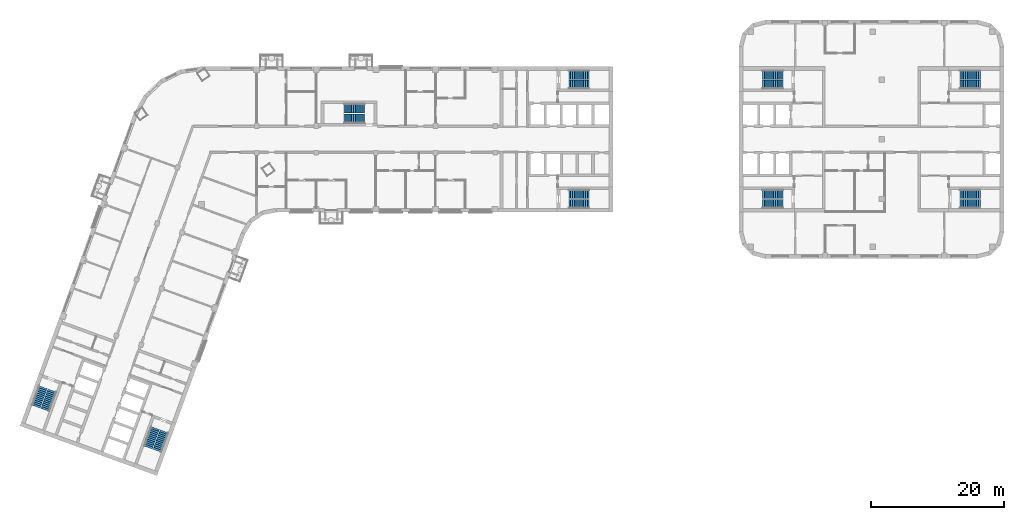
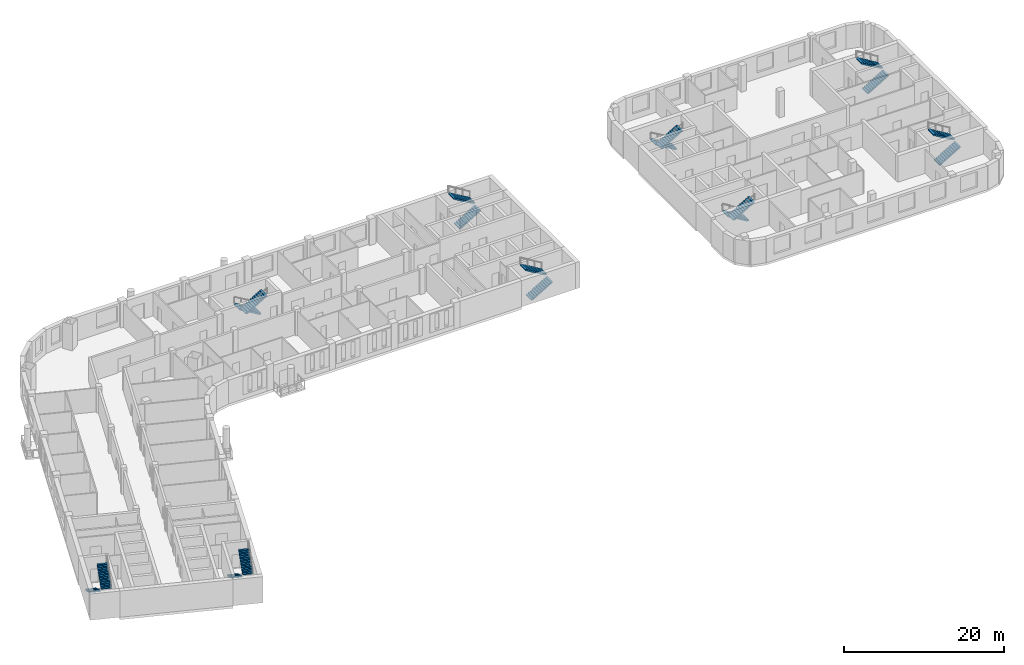
# One storey, part 11 of 16: 18 stair flights, 9 elements without a shape of their own.
"""IFC4 building model written with IfcOpenShell, lengths in metres."""

from ifc_helpers import new_model, si_unit, direction, frame, origin, place, context, subcontext, project, spatial, polyline, outline, extrude, material, type_object, element, aggregate, save


model = new_model("IFC4")

# Units and contexts
model_context = context("Model", 3, precision=1e-05, world=origin(), true_north=direction((0.0, 1.0)))
body_context = subcontext(model_context, "Body", "Model", "MODEL_VIEW")
ifc_project = project(units=[si_unit("LENGTHUNIT", "METRE"), si_unit("AREAUNIT", "SQUARE_METRE"), si_unit("VOLUMEUNIT", "CUBIC_METRE"), si_unit("PLANEANGLEUNIT", "RADIAN"), si_unit("MASSUNIT", "GRAM", prefix="KILO")], contexts=[model_context])

# Site, building, storey
site_placement = place(None, origin())
site = spatial("IfcSite", under=ifc_project, at=site_placement, CompositionType="ELEMENT")
building_placement = place(site_placement, origin())
building = spatial("IfcBuilding", under=site, at=building_placement, Name="Skarvind Civic Tower", CompositionType="ELEMENT")
storey_placement = place(building_placement, frame((0.0, 0.0, 43.5)))
storey = spatial("IfcBuildingStorey", under=building, at=storey_placement, Name="L09", CompositionType="ELEMENT", Elevation=43.5)

# Stair, stair flights
ifc_material = material(Name="Concrete C40/50", Category="concrete")
stair_type_1 = type_object("IfcStairType", Name="Exit stair 1450, half-turn, concrete", PredefinedType="HALF_TURN_STAIR", material=ifc_material)
stair_1_placement = place(storey_placement, origin())
stair_1 = element("IfcStair", 1, at=stair_1_placement, inside=storey, type_object=stair_type_1, Name="Exit stair CM", PredefinedType="HALF_TURN_STAIR")
stair_flight_type_1 = type_object("IfcStairFlightType", Name="Stair flight 1450, concrete", PredefinedType="STRAIGHT", material=ifc_material)
stair_flight_1_placement = place(storey_placement, frame((70.550048828125, 132.675048828125, 0.0), z_axis=(0.0, 0.0, 1.0), x_axis=(-1.0, 0.0, 0.0)))
stair_flight_1 = element("IfcStairFlight", 2, at=stair_flight_1_placement, type_object=stair_flight_type_1, Name="ST-CM flight 1", NumberOfRisers=12, NumberOfTreads=11, PredefinedType="STRAIGHT", RiserHeight=0.166666667, TreadLength=0.28, context=body_context, shape_type="SweptSolid", body=[
    extrude(outline(polyline([(0.0, 0.0), (0.0, 0.166748046875), (0.280029296875, 0.166748046875), (0.280029296875, 0.333251953125), (0.56005859375, 0.333251953125), (0.56005859375, 0.5), (0.840087890625, 0.5), (0.840087890625, 0.666748046875), (1.1201171875, 0.666748046875), (1.1201171875, 0.833251953125), (1.39990234375, 0.833251953125), (1.39990234375, 1.0), (1.679931640625, 1.0), (1.679931640625, 1.166748046875), (1.9599609375, 1.166748046875), (1.9599609375, 1.333251953125), (2.239990234375, 1.333251953125), (2.239990234375, 1.5), (2.52001953125, 1.5), (2.52001953125, 1.666748046875), (2.800048828125, 1.666748046875), (2.800048828125, 1.833251953125), (3.080078125, 1.833251953125), (3.080078125, 2.0), (3.080078125, 1.658935546875), (0.29296875, 0.0), (0.0, 0.0)])), frame((0.0, 0.72509765625, 0.0), z_axis=(0.0, -1.0, 0.0), x_axis=(1.0, 0.0, 0.0)), (0.0, 0.0, 1.0), 1.449951171875),
])
stair_flight_2_placement = place(storey_placement, frame((67.469970703125, 131.125, 2.0), z_axis=(0.0, 0.0, 1.0), x_axis=(1.0, 0.0, 0.0)))
stair_flight_2 = element("IfcStairFlight", 3, at=stair_flight_2_placement, type_object=stair_flight_type_1, Name="ST-CM flight 2", NumberOfRisers=12, NumberOfTreads=11, PredefinedType="STRAIGHT", RiserHeight=0.166666667, TreadLength=0.28, context=body_context, shape_type="SweptSolid", body=[
    extrude(outline(polyline([(0.0, 0.0), (0.0, 0.166748046875), (0.280029296875, 0.166748046875), (0.280029296875, 0.333251953125), (0.56005859375, 0.333251953125), (0.56005859375, 0.5), (0.840087890625, 0.5), (0.840087890625, 0.666748046875), (1.1201171875, 0.666748046875), (1.1201171875, 0.833251953125), (1.39990234375, 0.833251953125), (1.39990234375, 1.0), (1.679931640625, 1.0), (1.679931640625, 1.166748046875), (1.9599609375, 1.166748046875), (1.9599609375, 1.333251953125), (2.239990234375, 1.333251953125), (2.239990234375, 1.5), (2.52001953125, 1.5), (2.52001953125, 1.666748046875), (2.800048828125, 1.666748046875), (2.800048828125, 1.833251953125), (3.080078125, 1.833251953125), (3.080078125, 2.0), (3.080078125, 1.658935546875), (0.29296875, 0.0), (0.0, 0.0)])), frame((0.0, 0.72509765625, 0.0), z_axis=(0.0, -1.0, 0.0), x_axis=(1.0, 0.0, 0.0)), (0.0, 0.0, 1.0), 1.449951171875),
])
aggregate(stair_1, [stair_flight_1, stair_flight_2])

stair_type_2 = type_object("IfcStairType", Name="Exit stair, half-turn, concrete", PredefinedType="HALF_TURN_STAIR", material=ifc_material)
stair_2_placement = place(storey_placement, origin())
stair_2 = element("IfcStair", 4, at=stair_2_placement, inside=storey, type_object=stair_type_2, Name="Exit stair C1S", PredefinedType="HALF_TURN_STAIR")
stair_flight_type_2 = type_object("IfcStairFlightType", Name="Stair flight, concrete", PredefinedType="STRAIGHT", material=ifc_material)
stair_flight_3_placement = place(storey_placement, frame((101.35009765625, 136.27490234375, 0.0), z_axis=(0.0, 0.0, 1.0), x_axis=(1.0, 0.0, 0.0)))
stair_flight_3 = element("IfcStairFlight", 5, at=stair_flight_3_placement, type_object=stair_flight_type_2, Name="ST-C1S flight 1", NumberOfRisers=12, NumberOfTreads=11, PredefinedType="STRAIGHT", RiserHeight=0.166666667, TreadLength=0.28, context=body_context, shape_type="SweptSolid", body=[
    extrude(outline(polyline([(0.0, 0.0), (0.0, 0.166748046875), (0.280029296875, 0.166748046875), (0.280029296875, 0.333251953125), (0.56005859375, 0.333251953125), (0.56005859375, 0.5), (0.840087890625, 0.5), (0.840087890625, 0.666748046875), (1.1201171875, 0.666748046875), (1.1201171875, 0.833251953125), (1.39990234375, 0.833251953125), (1.39990234375, 1.0), (1.679931640625, 1.0), (1.679931640625, 1.166748046875), (1.9599609375, 1.166748046875), (1.9599609375, 1.333251953125), (2.239990234375, 1.333251953125), (2.239990234375, 1.5), (2.52001953125, 1.5), (2.52001953125, 1.666748046875), (2.800048828125, 1.666748046875), (2.800048828125, 1.833251953125), (3.080078125, 1.833251953125), (3.080078125, 2.0), (3.080078125, 1.658935546875), (0.29296875, 0.0), (0.0, 0.0)])), frame((0.0, 0.675048828125, 0.0), z_axis=(0.0, -1.0, 0.0), x_axis=(1.0, 0.0, 0.0)), (0.0, 0.0, 1.0), 1.35009765625),
])
stair_flight_4_placement = place(storey_placement, frame((104.429931640625, 137.72509765625, 2.0), z_axis=(0.0, 0.0, 1.0), x_axis=(-1.0, 0.0, 0.0)))
stair_flight_4 = element("IfcStairFlight", 6, at=stair_flight_4_placement, type_object=stair_flight_type_2, Name="ST-C1S flight 2", NumberOfRisers=12, NumberOfTreads=11, PredefinedType="STRAIGHT", RiserHeight=0.166666667, TreadLength=0.28, context=body_context, shape_type="SweptSolid", body=[
    extrude(outline(polyline([(0.0, 0.0), (0.0, 0.166748046875), (0.280029296875, 0.166748046875), (0.280029296875, 0.333251953125), (0.56005859375, 0.333251953125), (0.56005859375, 0.5), (0.840087890625, 0.5), (0.840087890625, 0.666748046875), (1.1201171875, 0.666748046875), (1.1201171875, 0.833251953125), (1.39990234375, 0.833251953125), (1.39990234375, 1.0), (1.679931640625, 1.0), (1.679931640625, 1.166748046875), (1.9599609375, 1.166748046875), (1.9599609375, 1.333251953125), (2.239990234375, 1.333251953125), (2.239990234375, 1.5), (2.52001953125, 1.5), (2.52001953125, 1.666748046875), (2.800048828125, 1.666748046875), (2.800048828125, 1.833251953125), (3.080078125, 1.833251953125), (3.080078125, 2.0), (3.080078125, 1.658935546875), (0.29296875, 0.0), (0.0, 0.0)])), frame((0.0, 0.675048828125, 0.0), z_axis=(0.0, -1.0, 0.0), x_axis=(1.0, 0.0, 0.0)), (0.0, 0.0, 1.0), 1.35009765625),
])
aggregate(stair_2, [stair_flight_3, stair_flight_4])

stair_3_placement = place(storey_placement, origin())
stair_3 = element("IfcStair", 7, at=stair_3_placement, inside=storey, type_object=stair_type_2, Name="Exit stair C1N", PredefinedType="HALF_TURN_STAIR")
stair_flight_5_placement = place(storey_placement, frame((101.35009765625, 118.27490234375, 0.0), z_axis=(0.0, 0.0, 1.0), x_axis=(1.0, 0.0, 0.0)))
stair_flight_5 = element("IfcStairFlight", 8, at=stair_flight_5_placement, type_object=stair_flight_type_2, Name="ST-C1N flight 1", NumberOfRisers=12, NumberOfTreads=11, PredefinedType="STRAIGHT", RiserHeight=0.166666667, TreadLength=0.28, context=body_context, shape_type="SweptSolid", body=[
    extrude(outline(polyline([(0.0, 0.0), (0.0, 0.166748046875), (0.280029296875, 0.166748046875), (0.280029296875, 0.333251953125), (0.56005859375, 0.333251953125), (0.56005859375, 0.5), (0.840087890625, 0.5), (0.840087890625, 0.666748046875), (1.1201171875, 0.666748046875), (1.1201171875, 0.833251953125), (1.39990234375, 0.833251953125), (1.39990234375, 1.0), (1.679931640625, 1.0), (1.679931640625, 1.166748046875), (1.9599609375, 1.166748046875), (1.9599609375, 1.333251953125), (2.239990234375, 1.333251953125), (2.239990234375, 1.5), (2.52001953125, 1.5), (2.52001953125, 1.666748046875), (2.800048828125, 1.666748046875), (2.800048828125, 1.833251953125), (3.080078125, 1.833251953125), (3.080078125, 2.0), (3.080078125, 1.658935546875), (0.29296875, 0.0), (0.0, 0.0)])), frame((0.0, 0.675048828125, 0.0), z_axis=(0.0, -1.0, 0.0), x_axis=(1.0, 0.0, 0.0)), (0.0, 0.0, 1.0), 1.35009765625),
])
stair_flight_6_placement = place(storey_placement, frame((104.429931640625, 119.72509765625, 2.0), z_axis=(0.0, 0.0, 1.0), x_axis=(-1.0, 0.0, 0.0)))
stair_flight_6 = element("IfcStairFlight", 9, at=stair_flight_6_placement, type_object=stair_flight_type_2, Name="ST-C1N flight 2", NumberOfRisers=12, NumberOfTreads=11, PredefinedType="STRAIGHT", RiserHeight=0.166666667, TreadLength=0.28, context=body_context, shape_type="SweptSolid", body=[
    extrude(outline(polyline([(0.0, 0.0), (0.0, 0.166748046875), (0.280029296875, 0.166748046875), (0.280029296875, 0.333251953125), (0.56005859375, 0.333251953125), (0.56005859375, 0.5), (0.840087890625, 0.5), (0.840087890625, 0.666748046875), (1.1201171875, 0.666748046875), (1.1201171875, 0.833251953125), (1.39990234375, 0.833251953125), (1.39990234375, 1.0), (1.679931640625, 1.0), (1.679931640625, 1.166748046875), (1.9599609375, 1.166748046875), (1.9599609375, 1.333251953125), (2.239990234375, 1.333251953125), (2.239990234375, 1.5), (2.52001953125, 1.5), (2.52001953125, 1.666748046875), (2.800048828125, 1.666748046875), (2.800048828125, 1.833251953125), (3.080078125, 1.833251953125), (3.080078125, 2.0), (3.080078125, 1.658935546875), (0.29296875, 0.0), (0.0, 0.0)])), frame((0.0, 0.675048828125, 0.0), z_axis=(0.0, -1.0, 0.0), x_axis=(1.0, 0.0, 0.0)), (0.0, 0.0, 1.0), 1.35009765625),
])
aggregate(stair_3, [stair_flight_5, stair_flight_6])

stair_4_placement = place(storey_placement, origin())
stair_4 = element("IfcStair", 10, at=stair_4_placement, inside=storey, type_object=stair_type_2, Name="Exit stair C2S", PredefinedType="HALF_TURN_STAIR")
stair_flight_7_placement = place(storey_placement, frame((38.949462890625, 84.43408203125, 0.0), z_axis=(0.0, 0.0, 1.0), x_axis=(-0.342020143326, -0.939692620786, 0.0)))
stair_flight_7 = element("IfcStairFlight", 11, at=stair_flight_7_placement, type_object=stair_flight_type_2, Name="ST-C2S flight 1", NumberOfRisers=12, NumberOfTreads=11, PredefinedType="STRAIGHT", RiserHeight=0.166666667, TreadLength=0.28, context=body_context, shape_type="SweptSolid", body=[
    extrude(outline(polyline([(0.0, 0.0), (0.0, 0.166748046875), (0.280029296875, 0.166748046875), (0.280029296875, 0.333251953125), (0.56005859375, 0.333251953125), (0.56005859375, 0.5), (0.840087890625, 0.5), (0.840087890625, 0.666748046875), (1.1201171875, 0.666748046875), (1.1201171875, 0.833251953125), (1.39990234375, 0.833251953125), (1.39990234375, 1.0), (1.679931640625, 1.0), (1.679931640625, 1.166748046875), (1.9599609375, 1.166748046875), (1.9599609375, 1.333251953125), (2.239990234375, 1.333251953125), (2.239990234375, 1.5), (2.52001953125, 1.5), (2.52001953125, 1.666748046875), (2.800048828125, 1.666748046875), (2.800048828125, 1.833251953125), (3.080078125, 1.833251953125), (3.080078125, 2.0), (3.080078125, 1.658935546875), (0.29296875, 0.0), (0.0, 0.0)])), frame((0.0, 0.675048828125, 0.0), z_axis=(0.0, -1.0, 0.0), x_axis=(1.0, 0.0, 0.0)), (0.0, 0.0, 1.0), 1.35009765625),
])
stair_flight_8_placement = place(storey_placement, frame((39.258544921875, 81.0439453125, 2.0), z_axis=(0.0, 0.0, 1.0), x_axis=(0.342020143326, 0.939692620786, 0.0)))
stair_flight_8 = element("IfcStairFlight", 12, at=stair_flight_8_placement, type_object=stair_flight_type_2, Name="ST-C2S flight 2", NumberOfRisers=12, NumberOfTreads=11, PredefinedType="STRAIGHT", RiserHeight=0.166666667, TreadLength=0.28, context=body_context, shape_type="SweptSolid", body=[
    extrude(outline(polyline([(0.0, 0.0), (0.0, 0.166748046875), (0.280029296875, 0.166748046875), (0.280029296875, 0.333251953125), (0.56005859375, 0.333251953125), (0.56005859375, 0.5), (0.840087890625, 0.5), (0.840087890625, 0.666748046875), (1.1201171875, 0.666748046875), (1.1201171875, 0.833251953125), (1.39990234375, 0.833251953125), (1.39990234375, 1.0), (1.679931640625, 1.0), (1.679931640625, 1.166748046875), (1.9599609375, 1.166748046875), (1.9599609375, 1.333251953125), (2.239990234375, 1.333251953125), (2.239990234375, 1.5), (2.52001953125, 1.5), (2.52001953125, 1.666748046875), (2.800048828125, 1.666748046875), (2.800048828125, 1.833251953125), (3.080078125, 1.833251953125), (3.080078125, 2.0), (3.080078125, 1.658935546875), (0.29296875, 0.0), (0.0, 0.0)])), frame((0.0, 0.675048828125, 0.0), z_axis=(0.0, -1.0, 0.0), x_axis=(1.0, 0.0, 0.0)), (0.0, 0.0, 1.0), 1.35009765625),
])
aggregate(stair_4, [stair_flight_7, stair_flight_8])

stair_5_placement = place(storey_placement, origin())
stair_5 = element("IfcStair", 13, at=stair_5_placement, inside=storey, type_object=stair_type_2, Name="Exit stair C2N", PredefinedType="HALF_TURN_STAIR")
stair_flight_9_placement = place(storey_placement, frame((22.034912109375, 90.590576171875, 0.0), z_axis=(0.0, 0.0, 1.0), x_axis=(-0.342020143326, -0.939692620786, 0.0)))
stair_flight_9 = element("IfcStairFlight", 14, at=stair_flight_9_placement, type_object=stair_flight_type_2, Name="ST-C2N flight 1", NumberOfRisers=12, NumberOfTreads=11, PredefinedType="STRAIGHT", RiserHeight=0.166666667, TreadLength=0.28, context=body_context, shape_type="SweptSolid", body=[
    extrude(outline(polyline([(0.0, 0.0), (0.0, 0.166748046875), (0.280029296875, 0.166748046875), (0.280029296875, 0.333251953125), (0.56005859375, 0.333251953125), (0.56005859375, 0.5), (0.840087890625, 0.5), (0.840087890625, 0.666748046875), (1.1201171875, 0.666748046875), (1.1201171875, 0.833251953125), (1.39990234375, 0.833251953125), (1.39990234375, 1.0), (1.679931640625, 1.0), (1.679931640625, 1.166748046875), (1.9599609375, 1.166748046875), (1.9599609375, 1.333251953125), (2.239990234375, 1.333251953125), (2.239990234375, 1.5), (2.52001953125, 1.5), (2.52001953125, 1.666748046875), (2.800048828125, 1.666748046875), (2.800048828125, 1.833251953125), (3.080078125, 1.833251953125), (3.080078125, 2.0), (3.080078125, 1.658935546875), (0.29296875, 0.0), (0.0, 0.0)])), frame((0.0, 0.675048828125, 0.0), z_axis=(0.0, -1.0, 0.0), x_axis=(1.0, 0.0, 0.0)), (0.0, 0.0, 1.0), 1.35009765625),
])
stair_flight_10_placement = place(storey_placement, frame((22.343994140625, 87.2001953125, 2.0), z_axis=(0.0, 0.0, 1.0), x_axis=(0.342020143326, 0.939692620786, 0.0)))
stair_flight_10 = element("IfcStairFlight", 15, at=stair_flight_10_placement, type_object=stair_flight_type_2, Name="ST-C2N flight 2", NumberOfRisers=12, NumberOfTreads=11, PredefinedType="STRAIGHT", RiserHeight=0.166666667, TreadLength=0.28, context=body_context, shape_type="SweptSolid", body=[
    extrude(outline(polyline([(0.0, 0.0), (0.0, 0.166748046875), (0.280029296875, 0.166748046875), (0.280029296875, 0.333251953125), (0.56005859375, 0.333251953125), (0.56005859375, 0.5), (0.840087890625, 0.5), (0.840087890625, 0.666748046875), (1.1201171875, 0.666748046875), (1.1201171875, 0.833251953125), (1.39990234375, 0.833251953125), (1.39990234375, 1.0), (1.679931640625, 1.0), (1.679931640625, 1.166748046875), (1.9599609375, 1.166748046875), (1.9599609375, 1.333251953125), (2.239990234375, 1.333251953125), (2.239990234375, 1.5), (2.52001953125, 1.5), (2.52001953125, 1.666748046875), (2.800048828125, 1.666748046875), (2.800048828125, 1.833251953125), (3.080078125, 1.833251953125), (3.080078125, 2.0), (3.080078125, 1.658935546875), (0.29296875, 0.0), (0.0, 0.0)])), frame((0.0, 0.675048828125, 0.0), z_axis=(0.0, -1.0, 0.0), x_axis=(1.0, 0.0, 0.0)), (0.0, 0.0, 1.0), 1.35009765625),
])
aggregate(stair_5, [stair_flight_9, stair_flight_10])

stair_6_placement = place(storey_placement, origin())
stair_6 = element("IfcStair", 16, at=stair_6_placement, inside=storey, type_object=stair_type_2, Name="Exit stair CAS", PredefinedType="HALF_TURN_STAIR")
stair_flight_11_placement = place(storey_placement, frame((133.64990234375, 119.72509765625, 0.0), z_axis=(0.0, 0.0, 1.0), x_axis=(-1.0, 0.0, 0.0)))
stair_flight_11 = element("IfcStairFlight", 17, at=stair_flight_11_placement, type_object=stair_flight_type_2, Name="ST-CAS flight 1", NumberOfRisers=12, NumberOfTreads=11, PredefinedType="STRAIGHT", RiserHeight=0.166666667, TreadLength=0.28, context=body_context, shape_type="SweptSolid", body=[
    extrude(outline(polyline([(0.0, 0.0), (0.0, 0.166748046875), (0.280029296875, 0.166748046875), (0.280029296875, 0.333251953125), (0.56005859375, 0.333251953125), (0.56005859375, 0.5), (0.840087890625, 0.5), (0.840087890625, 0.666748046875), (1.1201171875, 0.666748046875), (1.1201171875, 0.833251953125), (1.39990234375, 0.833251953125), (1.39990234375, 1.0), (1.679931640625, 1.0), (1.679931640625, 1.166748046875), (1.9599609375, 1.166748046875), (1.9599609375, 1.333251953125), (2.239990234375, 1.333251953125), (2.239990234375, 1.5), (2.52001953125, 1.5), (2.52001953125, 1.666748046875), (2.800048828125, 1.666748046875), (2.800048828125, 1.833251953125), (3.080078125, 1.833251953125), (3.080078125, 2.0), (3.080078125, 1.658935546875), (0.29296875, 0.0), (0.0, 0.0)])), frame((0.0, 0.675048828125, 0.0), z_axis=(0.0, -1.0, 0.0), x_axis=(1.0, 0.0, 0.0)), (0.0, 0.0, 1.0), 1.35009765625),
])
stair_flight_12_placement = place(storey_placement, frame((130.570068359375, 118.27490234375, 2.0), z_axis=(0.0, 0.0, 1.0), x_axis=(1.0, 0.0, 0.0)))
stair_flight_12 = element("IfcStairFlight", 18, at=stair_flight_12_placement, type_object=stair_flight_type_2, Name="ST-CAS flight 2", NumberOfRisers=12, NumberOfTreads=11, PredefinedType="STRAIGHT", RiserHeight=0.166666667, TreadLength=0.28, context=body_context, shape_type="SweptSolid", body=[
    extrude(outline(polyline([(0.0, 0.0), (0.0, 0.166748046875), (0.280029296875, 0.166748046875), (0.280029296875, 0.333251953125), (0.56005859375, 0.333251953125), (0.56005859375, 0.5), (0.840087890625, 0.5), (0.840087890625, 0.666748046875), (1.1201171875, 0.666748046875), (1.1201171875, 0.833251953125), (1.39990234375, 0.833251953125), (1.39990234375, 1.0), (1.679931640625, 1.0), (1.679931640625, 1.166748046875), (1.9599609375, 1.166748046875), (1.9599609375, 1.333251953125), (2.239990234375, 1.333251953125), (2.239990234375, 1.5), (2.52001953125, 1.5), (2.52001953125, 1.666748046875), (2.800048828125, 1.666748046875), (2.800048828125, 1.833251953125), (3.080078125, 1.833251953125), (3.080078125, 2.0), (3.080078125, 1.658935546875), (0.29296875, 0.0), (0.0, 0.0)])), frame((0.0, 0.675048828125, 0.0), z_axis=(0.0, -1.0, 0.0), x_axis=(1.0, 0.0, 0.0)), (0.0, 0.0, 1.0), 1.35009765625),
])
aggregate(stair_6, [stair_flight_11, stair_flight_12])

stair_7_placement = place(storey_placement, origin())
stair_7 = element("IfcStair", 19, at=stair_7_placement, inside=storey, type_object=stair_type_2, Name="Exit stair CAN", PredefinedType="HALF_TURN_STAIR")
stair_flight_13_placement = place(storey_placement, frame((133.64990234375, 137.72509765625, 0.0), z_axis=(0.0, 0.0, 1.0), x_axis=(-1.0, 0.0, 0.0)))
stair_flight_13 = element("IfcStairFlight", 20, at=stair_flight_13_placement, type_object=stair_flight_type_2, Name="ST-CAN flight 1", NumberOfRisers=12, NumberOfTreads=11, PredefinedType="STRAIGHT", RiserHeight=0.166666667, TreadLength=0.28, context=body_context, shape_type="SweptSolid", body=[
    extrude(outline(polyline([(0.0, 0.0), (0.0, 0.166748046875), (0.280029296875, 0.166748046875), (0.280029296875, 0.333251953125), (0.56005859375, 0.333251953125), (0.56005859375, 0.5), (0.840087890625, 0.5), (0.840087890625, 0.666748046875), (1.1201171875, 0.666748046875), (1.1201171875, 0.833251953125), (1.39990234375, 0.833251953125), (1.39990234375, 1.0), (1.679931640625, 1.0), (1.679931640625, 1.166748046875), (1.9599609375, 1.166748046875), (1.9599609375, 1.333251953125), (2.239990234375, 1.333251953125), (2.239990234375, 1.5), (2.52001953125, 1.5), (2.52001953125, 1.666748046875), (2.800048828125, 1.666748046875), (2.800048828125, 1.833251953125), (3.080078125, 1.833251953125), (3.080078125, 2.0), (3.080078125, 1.658935546875), (0.29296875, 0.0), (0.0, 0.0)])), frame((0.0, 0.675048828125, 0.0), z_axis=(0.0, -1.0, 0.0), x_axis=(1.0, 0.0, 0.0)), (0.0, 0.0, 1.0), 1.35009765625),
])
stair_flight_14_placement = place(storey_placement, frame((130.570068359375, 136.27490234375, 2.0), z_axis=(0.0, 0.0, 1.0), x_axis=(1.0, 0.0, 0.0)))
stair_flight_14 = element("IfcStairFlight", 21, at=stair_flight_14_placement, type_object=stair_flight_type_2, Name="ST-CAN flight 2", NumberOfRisers=12, NumberOfTreads=11, PredefinedType="STRAIGHT", RiserHeight=0.166666667, TreadLength=0.28, context=body_context, shape_type="SweptSolid", body=[
    extrude(outline(polyline([(0.0, 0.0), (0.0, 0.166748046875), (0.280029296875, 0.166748046875), (0.280029296875, 0.333251953125), (0.56005859375, 0.333251953125), (0.56005859375, 0.5), (0.840087890625, 0.5), (0.840087890625, 0.666748046875), (1.1201171875, 0.666748046875), (1.1201171875, 0.833251953125), (1.39990234375, 0.833251953125), (1.39990234375, 1.0), (1.679931640625, 1.0), (1.679931640625, 1.166748046875), (1.9599609375, 1.166748046875), (1.9599609375, 1.333251953125), (2.239990234375, 1.333251953125), (2.239990234375, 1.5), (2.52001953125, 1.5), (2.52001953125, 1.666748046875), (2.800048828125, 1.666748046875), (2.800048828125, 1.833251953125), (3.080078125, 1.833251953125), (3.080078125, 2.0), (3.080078125, 1.658935546875), (0.29296875, 0.0), (0.0, 0.0)])), frame((0.0, 0.675048828125, 0.0), z_axis=(0.0, -1.0, 0.0), x_axis=(1.0, 0.0, 0.0)), (0.0, 0.0, 1.0), 1.35009765625),
])
aggregate(stair_7, [stair_flight_13, stair_flight_14])

stair_8_placement = place(storey_placement, origin())
stair_8 = element("IfcStair", 22, at=stair_8_placement, inside=storey, type_object=stair_type_2, Name="Exit stair CBS", PredefinedType="HALF_TURN_STAIR")
stair_flight_15_placement = place(storey_placement, frame((160.35009765625, 136.27490234375, 0.0), z_axis=(0.0, 0.0, 1.0), x_axis=(1.0, 0.0, 0.0)))
stair_flight_15 = element("IfcStairFlight", 23, at=stair_flight_15_placement, type_object=stair_flight_type_2, Name="ST-CBS flight 1", NumberOfRisers=12, NumberOfTreads=11, PredefinedType="STRAIGHT", RiserHeight=0.166666667, TreadLength=0.28, context=body_context, shape_type="SweptSolid", body=[
    extrude(outline(polyline([(0.0, 0.0), (0.0, 0.166748046875), (0.280029296875, 0.166748046875), (0.280029296875, 0.333251953125), (0.56005859375, 0.333251953125), (0.56005859375, 0.5), (0.840087890625, 0.5), (0.840087890625, 0.666748046875), (1.1201171875, 0.666748046875), (1.1201171875, 0.833251953125), (1.39990234375, 0.833251953125), (1.39990234375, 1.0), (1.679931640625, 1.0), (1.679931640625, 1.166748046875), (1.9599609375, 1.166748046875), (1.9599609375, 1.333251953125), (2.239990234375, 1.333251953125), (2.239990234375, 1.5), (2.52001953125, 1.5), (2.52001953125, 1.666748046875), (2.800048828125, 1.666748046875), (2.800048828125, 1.833251953125), (3.080078125, 1.833251953125), (3.080078125, 2.0), (3.080078125, 1.658935546875), (0.29296875, 0.0), (0.0, 0.0)])), frame((0.0, 0.675048828125, 0.0), z_axis=(0.0, -1.0, 0.0), x_axis=(1.0, 0.0, 0.0)), (0.0, 0.0, 1.0), 1.35009765625),
])
stair_flight_16_placement = place(storey_placement, frame((163.429931640625, 137.72509765625, 2.0), z_axis=(0.0, 0.0, 1.0), x_axis=(-1.0, 0.0, 0.0)))
stair_flight_16 = element("IfcStairFlight", 24, at=stair_flight_16_placement, type_object=stair_flight_type_2, Name="ST-CBS flight 2", NumberOfRisers=12, NumberOfTreads=11, PredefinedType="STRAIGHT", RiserHeight=0.166666667, TreadLength=0.28, context=body_context, shape_type="SweptSolid", body=[
    extrude(outline(polyline([(0.0, 0.0), (0.0, 0.166748046875), (0.280029296875, 0.166748046875), (0.280029296875, 0.333251953125), (0.56005859375, 0.333251953125), (0.56005859375, 0.5), (0.840087890625, 0.5), (0.840087890625, 0.666748046875), (1.1201171875, 0.666748046875), (1.1201171875, 0.833251953125), (1.39990234375, 0.833251953125), (1.39990234375, 1.0), (1.679931640625, 1.0), (1.679931640625, 1.166748046875), (1.9599609375, 1.166748046875), (1.9599609375, 1.333251953125), (2.239990234375, 1.333251953125), (2.239990234375, 1.5), (2.52001953125, 1.5), (2.52001953125, 1.666748046875), (2.800048828125, 1.666748046875), (2.800048828125, 1.833251953125), (3.080078125, 1.833251953125), (3.080078125, 2.0), (3.080078125, 1.658935546875), (0.29296875, 0.0), (0.0, 0.0)])), frame((0.0, 0.675048828125, 0.0), z_axis=(0.0, -1.0, 0.0), x_axis=(1.0, 0.0, 0.0)), (0.0, 0.0, 1.0), 1.35009765625),
])
aggregate(stair_8, [stair_flight_15, stair_flight_16])

stair_9_placement = place(storey_placement, origin())
stair_9 = element("IfcStair", 25, at=stair_9_placement, inside=storey, type_object=stair_type_2, Name="Exit stair CBN", PredefinedType="HALF_TURN_STAIR")
stair_flight_17_placement = place(storey_placement, frame((160.35009765625, 118.27490234375, 0.0), z_axis=(0.0, 0.0, 1.0), x_axis=(1.0, 0.0, 0.0)))
stair_flight_17 = element("IfcStairFlight", 26, at=stair_flight_17_placement, type_object=stair_flight_type_2, Name="ST-CBN flight 1", NumberOfRisers=12, NumberOfTreads=11, PredefinedType="STRAIGHT", RiserHeight=0.166666667, TreadLength=0.28, context=body_context, shape_type="SweptSolid", body=[
    extrude(outline(polyline([(0.0, 0.0), (0.0, 0.166748046875), (0.280029296875, 0.166748046875), (0.280029296875, 0.333251953125), (0.56005859375, 0.333251953125), (0.56005859375, 0.5), (0.840087890625, 0.5), (0.840087890625, 0.666748046875), (1.1201171875, 0.666748046875), (1.1201171875, 0.833251953125), (1.39990234375, 0.833251953125), (1.39990234375, 1.0), (1.679931640625, 1.0), (1.679931640625, 1.166748046875), (1.9599609375, 1.166748046875), (1.9599609375, 1.333251953125), (2.239990234375, 1.333251953125), (2.239990234375, 1.5), (2.52001953125, 1.5), (2.52001953125, 1.666748046875), (2.800048828125, 1.666748046875), (2.800048828125, 1.833251953125), (3.080078125, 1.833251953125), (3.080078125, 2.0), (3.080078125, 1.658935546875), (0.29296875, 0.0), (0.0, 0.0)])), frame((0.0, 0.675048828125, 0.0), z_axis=(0.0, -1.0, 0.0), x_axis=(1.0, 0.0, 0.0)), (0.0, 0.0, 1.0), 1.35009765625),
])
stair_flight_18_placement = place(storey_placement, frame((163.429931640625, 119.72509765625, 2.0), z_axis=(0.0, 0.0, 1.0), x_axis=(-1.0, 0.0, 0.0)))
stair_flight_18 = element("IfcStairFlight", 27, at=stair_flight_18_placement, type_object=stair_flight_type_2, Name="ST-CBN flight 2", NumberOfRisers=12, NumberOfTreads=11, PredefinedType="STRAIGHT", RiserHeight=0.166666667, TreadLength=0.28, context=body_context, shape_type="SweptSolid", body=[
    extrude(outline(polyline([(0.0, 0.0), (0.0, 0.166748046875), (0.280029296875, 0.166748046875), (0.280029296875, 0.333251953125), (0.56005859375, 0.333251953125), (0.56005859375, 0.5), (0.840087890625, 0.5), (0.840087890625, 0.666748046875), (1.1201171875, 0.666748046875), (1.1201171875, 0.833251953125), (1.39990234375, 0.833251953125), (1.39990234375, 1.0), (1.679931640625, 1.0), (1.679931640625, 1.166748046875), (1.9599609375, 1.166748046875), (1.9599609375, 1.333251953125), (2.239990234375, 1.333251953125), (2.239990234375, 1.5), (2.52001953125, 1.5), (2.52001953125, 1.666748046875), (2.800048828125, 1.666748046875), (2.800048828125, 1.833251953125), (3.080078125, 1.833251953125), (3.080078125, 2.0), (3.080078125, 1.658935546875), (0.29296875, 0.0), (0.0, 0.0)])), frame((0.0, 0.675048828125, 0.0), z_axis=(0.0, -1.0, 0.0), x_axis=(1.0, 0.0, 0.0)), (0.0, 0.0, 1.0), 1.35009765625),
])
aggregate(stair_9, [stair_flight_17, stair_flight_18])

save(model, "model.ifc")
